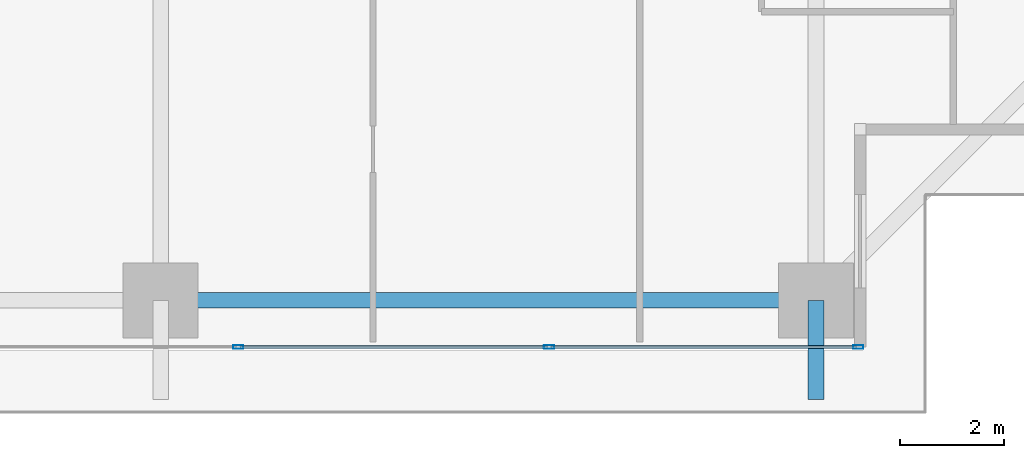
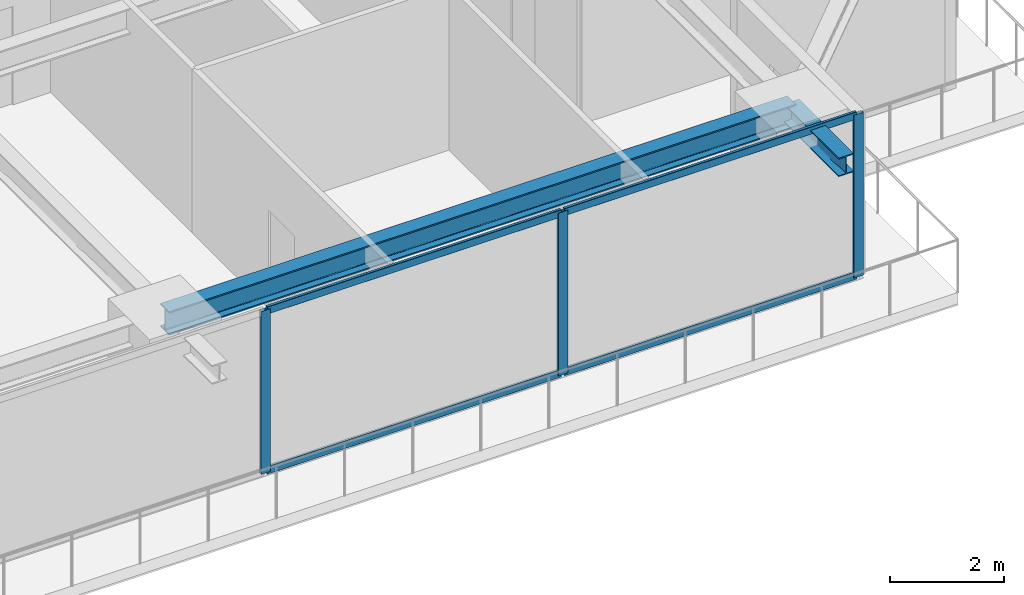
# One storey, part 10 of 39: 7 members, 2 beams, 1 element without a shape of its own.
"""IFC4 building model written with IfcOpenShell, lengths in metres."""

from ifc_helpers import new_model, si_unit, direction, frame, origin, origin_2d, place, context, subcontext, project, spatial, hollow_rectangle, i_section, extrude, source, transform, mapped, material, layer, layer_set, material_profile, profile_set, type_object, element, aggregate, save


model = new_model("IFC4")

# Units and contexts
model_context = context("Model", 3, precision=1e-05, world=origin(), true_north=direction((0.0, 1.0)))
body_context = subcontext(model_context, "Body", "Model", "MODEL_VIEW")
ifc_project = project(units=[si_unit("LENGTHUNIT", "METRE"), si_unit("AREAUNIT", "SQUARE_METRE"), si_unit("VOLUMEUNIT", "CUBIC_METRE"), si_unit("PLANEANGLEUNIT", "RADIAN"), si_unit("MASSUNIT", "GRAM", prefix="KILO")], contexts=[model_context])

# Site, building, storey
site_placement = place(None, origin())
site = spatial("IfcSite", under=ifc_project, at=site_placement, CompositionType="ELEMENT")
building_placement = place(site_placement, origin())
building = spatial("IfcBuilding", under=site, at=building_placement, Name="Serunith Strait Residences", CompositionType="ELEMENT")
storey_placement = place(building_placement, frame((0.0, 0.0, 97.949951171875)))
storey = spatial("IfcBuildingStorey", under=building, at=storey_placement, Name="L24", CompositionType="ELEMENT", Elevation=97.949951171875)

# Beams
ifc_material_1 = material(Name="Steel S355J2", Category="steel")
ifc_material_profile_1 = material_profile(ifc_material_1, i_section(OverallWidth=0.300048828125, OverallDepth=0.5, WebThickness=0.014404296875, FlangeThickness=0.028076171875, FilletRadius=0.027099609375, at=origin_2d()), Name="HEB 500")
ifc_profile_set_1 = profile_set([ifc_material_profile_1], Name="Steel S355J2")
beam_type_1 = type_object("IfcBeamType", Name="BM-HEB500", PredefinedType="BEAM", material=ifc_profile_set_1)
shared_shape_1 = source(origin(), body_context, "Body", "SweptSolid", [
    extrude(i_section(OverallWidth=0.300048828125, OverallDepth=0.5, WebThickness=0.014404296875, FlangeThickness=0.028076171875, FilletRadius=0.027099609375, at=origin_2d()), origin(), (0.0, 0.0, 1.0), 12.650146484375),
])
beam_1_placement = place(storey_placement, frame((36.89990234375, 1.10009765625, 3.237060546875), z_axis=(1.0, 0.0, 0.0), x_axis=(0.0, 1.0, 0.0)))
element("IfcBeam", 1, at=beam_1_placement, inside=storey, type_object=beam_type_1, Name="L24 Perimeter Ring Beam 03", PredefinedType="BEAM", context=body_context, shape_type="MappedRepresentation", body=[
    mapped(shared_shape_1, transform((0.0, 0.0, 0.0), scale=1.0)),
])
ifc_material_profile_2 = material_profile(ifc_material_1, i_section(OverallWidth=0.300048828125, OverallDepth=0.39990234375, WebThickness=0.013427734375, FlangeThickness=0.02392578125, FilletRadius=0.027099609375, at=origin_2d()), Name="HEB 400")
ifc_profile_set_2 = profile_set([ifc_material_profile_2], Name="Steel S355J2")
beam_type_2 = type_object("IfcBeamType", Name="BM-HEB400", PredefinedType="BEAM", material=ifc_profile_set_2)
shared_shape_2 = source(origin(), body_context, "Body", "SweptSolid", [
    extrude(i_section(OverallWidth=0.300048828125, OverallDepth=0.39990234375, WebThickness=0.013427734375, FlangeThickness=0.02392578125, FilletRadius=0.027099609375, at=origin_2d()), origin(), (0.0, 0.0, 1.0), 1.91015625),
])
beam_2_placement = place(storey_placement, frame((49.550048828125, 1.10009765625, 3.257080078125), z_axis=(0.0, -1.0, 0.0), x_axis=(1.0, 0.0, 0.0)))
element("IfcBeam", 2, at=beam_2_placement, inside=storey, type_object=beam_type_2, Name="L25 Cantilevered Balcony Rib TC-S4", PredefinedType="BEAM", context=body_context, shape_type="MappedRepresentation", body=[
    mapped(shared_shape_2, transform((0.0, 0.0, 0.0), scale=1.0)),
])

# Curtain wall, members
ifc_material_2 = material(Name="Pale-Champagne Anodised Aluminium", Category="aluminium")
ifc_layer = layer(ifc_material_2, 0.199951171875, Name="Pale-Champagne Anodised Aluminium")
ifc_layer_set = layer_set([ifc_layer], Name="Pale-Champagne Anodised Aluminium")
curtain_wall_type = type_object("IfcCurtainWallType", Name="CW-SYS1", PredefinedType="NOTDEFINED", material=ifc_layer_set)
curtain_wall_placement = place(storey_placement, origin())
curtain_wall = element("IfcCurtainWall", 3, at=curtain_wall_placement, inside=storey, type_object=curtain_wall_type, Name="L24 S Unitised Fritted Curtain Wall", PredefinedType="NOTDEFINED")
ifc_material_profile_3 = material_profile(ifc_material_2, hollow_rectangle(XDim=0.070068359375, YDim=0.199951171875, WallThickness=0.00390625, InnerFilletRadius=0.006103515625, OuterFilletRadius=0.010009765625, at=origin_2d()), Name="ALU 200x70x4")
ifc_profile_set_3 = profile_set([ifc_material_profile_3], Name="Pale-Champagne Anodised Aluminium")
member_type_1 = type_object("IfcMemberType", Name="CW-SYS1-MULL", PredefinedType="MULLION", material=ifc_profile_set_3)
shared_shape_3 = source(origin(), body_context, "Body", "SweptSolid", [
    extrude(hollow_rectangle(XDim=0.070068359375, YDim=0.199951171875, WallThickness=0.00390625, InnerFilletRadius=0.006103515625, OuterFilletRadius=0.010009765625, at=origin_2d()), origin(), (0.0, 0.0, 1.0), 3.47509765625),
])
member_1_placement = place(storey_placement, frame((38.39990234375, 0.199951171875, 0.0), z_axis=(0.0, 0.0, 1.0), x_axis=(0.0, 1.0, 0.0)))
member_1 = element("IfcMember", 4, at=member_1_placement, type_object=member_type_1, Name="CW-1 mullion 5", PredefinedType="MULLION", context=body_context, shape_type="MappedRepresentation", body=[
    mapped(shared_shape_3, transform((0.0, 0.0, 0.0), scale=1.0)),
])
member_2_placement = place(storey_placement, frame((44.39990234375, 0.199951171875, 0.0), z_axis=(0.0, 0.0, 1.0), x_axis=(0.0, 1.0, 0.0)))
member_2 = element("IfcMember", 5, at=member_2_placement, type_object=member_type_1, Name="CW-1 mullion 6", PredefinedType="MULLION", context=body_context, shape_type="MappedRepresentation", body=[
    mapped(shared_shape_3, transform((0.0, 0.0, 0.0), scale=1.0)),
])
member_3_placement = place(storey_placement, frame((50.364990234375, 0.199951171875, 0.0), z_axis=(0.0, 0.0, 1.0), x_axis=(0.0, 1.0, 0.0)))
member_3 = element("IfcMember", 6, at=member_3_placement, type_object=member_type_1, Name="CW-1 mullion 7", PredefinedType="MULLION", context=body_context, shape_type="MappedRepresentation", body=[
    mapped(shared_shape_3, transform((0.0, 0.0, 0.0), scale=1.0)),
])
ifc_material_profile_4 = material_profile(ifc_material_2, hollow_rectangle(XDim=0.06005859375, YDim=0.159912109375, WallThickness=0.00341796875, InnerFilletRadius=0.00537109375, OuterFilletRadius=0.0087890625, at=origin_2d()), Name="ALU 160x60x3.5")
ifc_profile_set_4 = profile_set([ifc_material_profile_4], Name="Pale-Champagne Anodised Aluminium")
member_type_2 = type_object("IfcMemberType", Name="CW-SYS1-TRAN", PredefinedType="USERDEFINED", material=ifc_profile_set_4)
shared_shape_4 = source(origin(), body_context, "Body", "SweptSolid", [
    extrude(hollow_rectangle(XDim=0.06005859375, YDim=0.159912109375, WallThickness=0.00341796875, InnerFilletRadius=0.00537109375, OuterFilletRadius=0.0087890625, at=origin_2d()), origin(), (0.0, 0.0, 1.0), 5.89501953125),
])
member_4_placement = place(storey_placement, frame((44.43505859375, 0.199951171875, 0.030029296875), z_axis=(1.0, 0.0, 0.0), x_axis=(0.0, 1.0, 0.0)))
member_4 = element("IfcMember", 7, at=member_4_placement, type_object=member_type_2, Name="CW-1 transom 6.1", ObjectType="TRANSOM", PredefinedType="USERDEFINED", context=body_context, shape_type="MappedRepresentation", body=[
    mapped(shared_shape_4, transform((0.0, 0.0, 0.0), scale=1.0)),
])
member_5_placement = place(storey_placement, frame((44.43505859375, 0.199951171875, 3.445068359375), z_axis=(1.0, 0.0, 0.0), x_axis=(0.0, 1.0, 0.0)))
member_5 = element("IfcMember", 8, at=member_5_placement, type_object=member_type_2, Name="CW-1 transom 6.2", ObjectType="TRANSOM", PredefinedType="USERDEFINED", context=body_context, shape_type="MappedRepresentation", body=[
    mapped(shared_shape_4, transform((0.0, 0.0, 0.0), scale=1.0)),
])
shared_shape_5 = source(origin(), body_context, "Body", "SweptSolid", [
    extrude(hollow_rectangle(XDim=0.06005859375, YDim=0.159912109375, WallThickness=0.00341796875, InnerFilletRadius=0.00537109375, OuterFilletRadius=0.0087890625, at=origin_2d()), origin(), (0.0, 0.0, 1.0), 5.929931640625),
])
member_6_placement = place(storey_placement, frame((38.43505859375, 0.199951171875, 0.030029296875), z_axis=(1.0, 0.0, 0.0), x_axis=(0.0, 1.0, 0.0)))
member_6 = element("IfcMember", 9, at=member_6_placement, type_object=member_type_2, Name="CW-1 transom 5.1", ObjectType="TRANSOM", PredefinedType="USERDEFINED", context=body_context, shape_type="MappedRepresentation", body=[
    mapped(shared_shape_5, transform((0.0, 0.0, 0.0), scale=1.0)),
])
member_7_placement = place(storey_placement, frame((38.43505859375, 0.199951171875, 3.445068359375), z_axis=(1.0, 0.0, 0.0), x_axis=(0.0, 1.0, 0.0)))
member_7 = element("IfcMember", 10, at=member_7_placement, type_object=member_type_2, Name="CW-1 transom 5.2", ObjectType="TRANSOM", PredefinedType="USERDEFINED", context=body_context, shape_type="MappedRepresentation", body=[
    mapped(shared_shape_5, transform((0.0, 0.0, 0.0), scale=1.0)),
])
aggregate(curtain_wall, [member_1, member_2, member_3, member_6, member_7, member_4, member_5])

save(model, "model.ifc")
